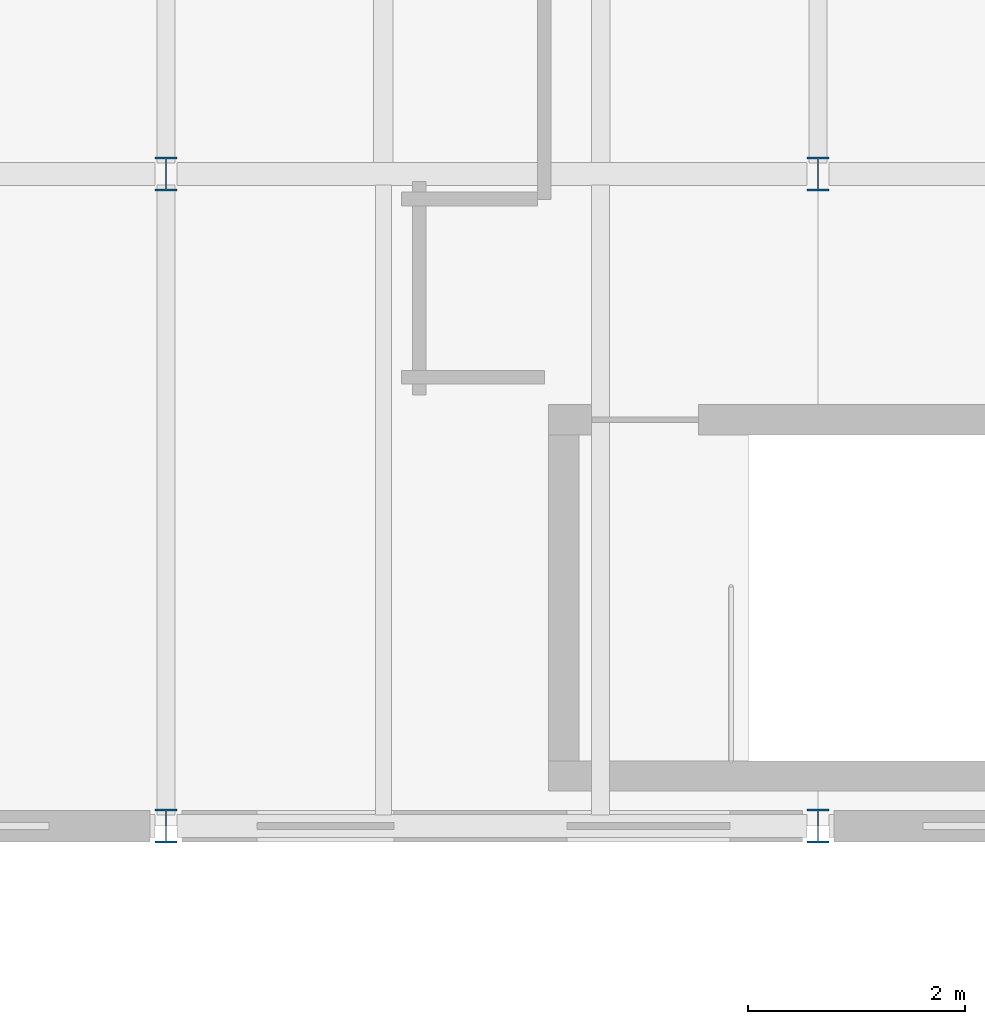
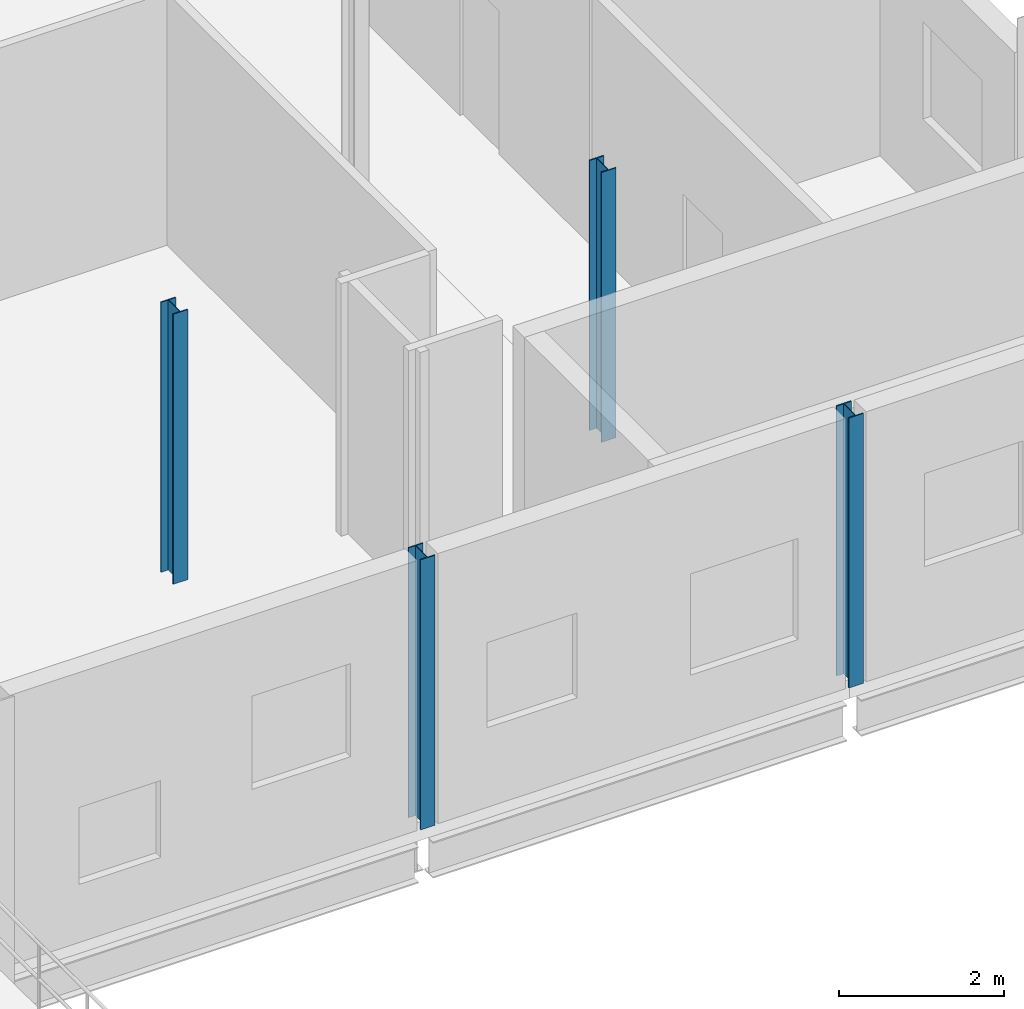
# One storey, part 1 of 45: 4 columns.
"""IFC4 building model written with IfcOpenShell, lengths in metres."""

from ifc_helpers import new_model, si_unit, direction, frame, origin, origin_2d, place, context, subcontext, project, spatial, i_section, extrude, material, material_profile, profile_set, type_object, element, save


model = new_model("IFC4")

# Units and contexts
model_context = context("Model", 3, precision=1e-05, world=origin(), true_north=direction((0.0, 1.0)))
body_context = subcontext(model_context, "Body", "Model", "MODEL_VIEW")
ifc_project = project(units=[si_unit("LENGTHUNIT", "METRE"), si_unit("AREAUNIT", "SQUARE_METRE"), si_unit("VOLUMEUNIT", "CUBIC_METRE"), si_unit("PLANEANGLEUNIT", "RADIAN"), si_unit("MASSUNIT", "GRAM", prefix="KILO")], contexts=[model_context])

# Site, building, storey
site_placement = place(None, origin())
site = spatial("IfcSite", under=ifc_project, at=site_placement, CompositionType="ELEMENT")
building_placement = place(site_placement, origin())
building = spatial("IfcBuilding", under=site, at=building_placement, Name="Siltcreek Boulevard Central Fire Station", CompositionType="ELEMENT")
storey_placement = place(building_placement, frame((0.0, 0.0, 10.0)))
storey = spatial("IfcBuildingStorey", under=building, at=storey_placement, Name="L03", CompositionType="ELEMENT", Elevation=10.0)

# Columns
ifc_material = material(Name="Structural steel ASTM A992 Gr50", Category="steel")
ifc_material_profile = material_profile(ifc_material, i_section(OverallWidth=0.205078125, OverallDepth=0.31005859375, WebThickness=0.009521484375, FlangeThickness=0.016357421875, at=origin_2d()), Name="W310X74")
ifc_profile_set = profile_set([ifc_material_profile], Name="Structural steel ASTM A992 Gr50")
column_type = type_object("IfcColumnType", Name="COL_W310X74", PredefinedType="COLUMN", material=ifc_profile_set)
for number, where, z_axis, x_axis, name in (
    (1, (96.0, 24.0, 0.0), (0.0, 0.0, 1.0), (1.0, 0.0, 0.0), "L03 structural column COLG-L03-960-240"),
    (2, (96.0, 30.0, 0.0), (0.0, 0.0, 1.0), (1.0, 0.0, 0.0), "L03 structural column COLG-L03-960-300"),
    (3, (102.0, 24.0, 0.0), (0.0, 0.0, 1.0), (1.0, 0.0, 0.0), "L03 structural column COLG-L03-1020-240"),
    (4, (102.0, 30.0, 0.0), (0.0, 0.0, 1.0), (1.0, 0.0, 0.0), "L03 structural column COLG-L03-1020-300"),
):
    element("IfcColumn", number, at=place(storey_placement, frame(where, z_axis=z_axis, x_axis=x_axis)), inside=storey, type_object=column_type, Name=name, PredefinedType="COLUMN", context=body_context, shape_type="SweptSolid", body=[
        extrude(i_section(OverallWidth=0.205078125, OverallDepth=0.31005859375, WebThickness=0.009521484375, FlangeThickness=0.016357421875, at=origin_2d()), origin(), (0.0, 0.0, 1.0), 4.0),
    ])

save(model, "model.ifc")
